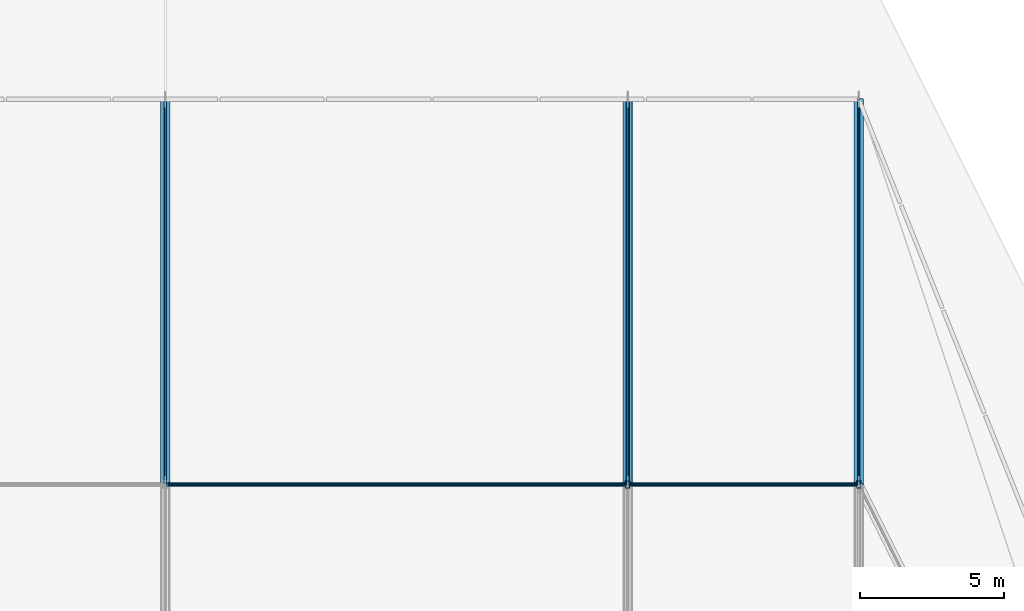
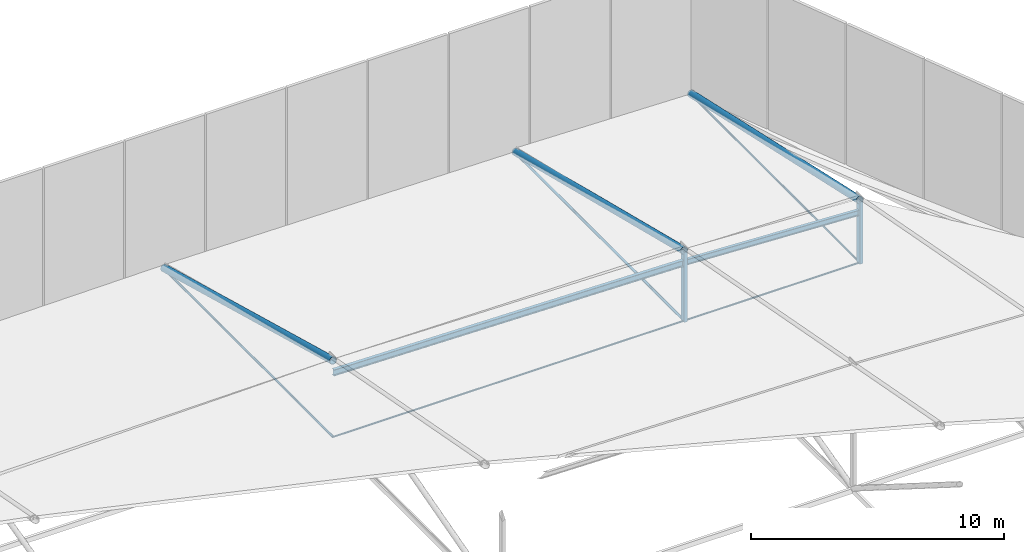
# One storey, part 19 of 30: 12 members.
"""IFC4 building model written with IfcOpenShell, lengths in metres."""

from ifc_helpers import new_model, si_unit, direction, frame, origin, origin_2d, place, context, subcontext, project, spatial, hollow_rectangle, circle, hollow_circle, i_section, extrude, material, material_profile, profile_set, type_object, element, save


model = new_model("IFC4")

# Units and contexts
model_context = context("Model", 3, precision=1e-05, world=origin(), true_north=direction((0.0, 1.0)))
body_context = subcontext(model_context, "Body", "Model", "MODEL_VIEW")
ifc_project = project(units=[si_unit("LENGTHUNIT", "METRE"), si_unit("AREAUNIT", "SQUARE_METRE"), si_unit("VOLUMEUNIT", "CUBIC_METRE"), si_unit("PLANEANGLEUNIT", "RADIAN"), si_unit("MASSUNIT", "GRAM", prefix="KILO")], contexts=[model_context])

# Site, building, storey
site_placement = place(None, origin())
site = spatial("IfcSite", under=ifc_project, at=site_placement, CompositionType="ELEMENT")
building_placement = place(site_placement, origin())
building = spatial("IfcBuilding", under=site, at=building_placement, Name="Tazarka Park Arena", CompositionType="ELEMENT")
storey_placement = place(building_placement, frame((0.0, 0.0, 29.39990234375)))
storey = spatial("IfcBuildingStorey", under=building, at=storey_placement, Name="Roof", CompositionType="ELEMENT", Elevation=29.39990234375)

# Members
ifc_material_1 = material(Name="Locked-coil steel cable S1570", Category="steel")
ifc_material_profile_1 = material_profile(ifc_material_1, circle(Radius=0.0400390625, at=origin_2d()), Name="Locked-coil steel cable S1570")
ifc_profile_set_1 = profile_set([ifc_material_profile_1], Name="Locked-coil steel cable S1570")
member_type_1 = type_object("IfcMemberType", Name="MEM-CBL-01", PredefinedType="USERDEFINED", material=ifc_profile_set_1)
member_1_placement = place(storey_placement, frame((88.0, 90.666748046875, -0.0498046875), z_axis=(1.0, 0.0, 0.0), x_axis=(0.0, 1.0, 0.0)))
element("IfcMember", 1, at=member_1_placement, inside=storey, type_object=member_type_1, Name="CABLE TRANSVERSE 5-5", ObjectType="CABLE", PredefinedType="USERDEFINED", context=body_context, shape_type="SweptSolid", body=[
    extrude(circle(Radius=0.0400390625, at=origin_2d()), origin(), (0.0, 0.0, 1.0), 16.0),
])
member_2_placement = place(storey_placement, frame((104.0, 90.666748046875, -0.0498046875), z_axis=(1.0, 0.0, 0.0), x_axis=(0.0, 1.0, 0.0)))
element("IfcMember", 2, at=member_2_placement, inside=storey, type_object=member_type_1, Name="CABLE TRANSVERSE 6-5", ObjectType="CABLE", PredefinedType="USERDEFINED", context=body_context, shape_type="SweptSolid", body=[
    extrude(circle(Radius=0.0400390625, at=origin_2d()), origin(), (0.0, 0.0, 1.0), 8.0),
])
ifc_material_2 = material(Name="Locked-coil steel cable S1570", Category="steel")
ifc_material_profile_2 = material_profile(ifc_material_2, circle(Radius=0.050048828125, at=origin_2d()), Name="Locked-coil steel cable S1570")
ifc_profile_set_2 = profile_set([ifc_material_profile_2], Name="Locked-coil steel cable S1570")
member_type_2 = type_object("IfcMemberType", Name="MEM-CBL-02", PredefinedType="USERDEFINED", material=ifc_profile_set_2)
member_3_placement = place(storey_placement, frame((88.0, 90.666748046875, -0.0498046875), z_axis=(0.0, 1.0, 0.0), x_axis=(-1.0, 0.0, 0.0)))
element("IfcMember", 3, at=member_3_placement, inside=storey, type_object=member_type_2, Name="CABLE CBL-02-5-6", ObjectType="CABLE", PredefinedType="USERDEFINED", context=body_context, shape_type="SweptSolid", body=[
    extrude(circle(Radius=0.050048828125, at=origin_2d()), origin(), (0.0, 0.0, 1.0), 13.333251953125),
])
ifc_material_3 = material(Name="Locked-coil steel cable S1570", Category="steel")
ifc_material_profile_3 = material_profile(ifc_material_3, circle(Radius=0.06005859375, at=origin_2d()), Name="Locked-coil steel cable S1570")
ifc_profile_set_3 = profile_set([ifc_material_profile_3], Name="Locked-coil steel cable S1570")
member_type_3 = type_object("IfcMemberType", Name="MEM-CBL-03", PredefinedType="USERDEFINED", material=ifc_profile_set_3)
member_4_placement = place(storey_placement, frame((104.0, 90.666748046875, -0.0498046875), z_axis=(0.0, 1.0, 0.0), x_axis=(-1.0, 0.0, 0.0)))
element("IfcMember", 4, at=member_4_placement, inside=storey, type_object=member_type_3, Name="CABLE CBL-03-6-6", ObjectType="CABLE", PredefinedType="USERDEFINED", context=body_context, shape_type="SweptSolid", body=[
    extrude(circle(Radius=0.06005859375, at=origin_2d()), origin(), (0.0, 0.0, 1.0), 13.333251953125),
])
ifc_material_4 = material(Name="Locked-coil steel cable S1570", Category="steel")
ifc_material_profile_4 = material_profile(ifc_material_4, circle(Radius=0.044921875, at=origin_2d()), Name="Locked-coil steel cable S1570")
ifc_profile_set_4 = profile_set([ifc_material_profile_4], Name="Locked-coil steel cable S1570")
member_type_4 = type_object("IfcMemberType", Name="MEM-CBL-04", PredefinedType="USERDEFINED", material=ifc_profile_set_4)
member_5_placement = place(storey_placement, frame((112.0, 90.666748046875, -0.0498046875), z_axis=(0.0, 1.0, 0.0), x_axis=(-1.0, 0.0, 0.0)))
element("IfcMember", 5, at=member_5_placement, inside=storey, type_object=member_type_4, Name="CABLE CBL-04-7-6", ObjectType="CABLE", PredefinedType="USERDEFINED", context=body_context, shape_type="SweptSolid", body=[
    extrude(circle(Radius=0.044921875, at=origin_2d()), origin(), (0.0, 0.0, 1.0), 13.333251953125),
])
ifc_material_5 = material(Name="Steel S460", Category="steel")
ifc_material_profile_5 = material_profile(ifc_material_5, hollow_circle(Radius=0.161865234375, WallThickness=0.01611328125, at=origin_2d()), Name="Steel S460")
ifc_profile_set_5 = profile_set([ifc_material_profile_5], Name="Steel S460")
member_type_5 = type_object("IfcMemberType", Name="MEM-CH-03", PredefinedType="CHORD", material=ifc_profile_set_5)
member_6_placement = place(storey_placement, frame((88.0, 90.666748046875, 3.62158203125), z_axis=(0.0, 0.965034481804, -0.262122965284), x_axis=(-1.0, 0.0, 0.0)))
element("IfcMember", 6, at=member_6_placement, inside=storey, type_object=member_type_5, Name="CABLE ARCH CHORD 5-6", PredefinedType="CHORD", context=body_context, shape_type="SweptSolid", body=[
    extrude(hollow_circle(Radius=0.161865234375, WallThickness=0.01611328125, at=origin_2d()), origin(), (0.0, 0.0, 1.0), 13.81640625),
])
member_7_placement = place(storey_placement, frame((104.0, 90.666748046875, 3.3232421875), z_axis=(0.0, 0.970314700319, -0.241845782153), x_axis=(-1.0, 0.0, 0.0)))
element("IfcMember", 7, at=member_7_placement, inside=storey, type_object=member_type_5, Name="CABLE ARCH CHORD 6-6", PredefinedType="CHORD", context=body_context, shape_type="SweptSolid", body=[
    extrude(hollow_circle(Radius=0.161865234375, WallThickness=0.01611328125, at=origin_2d()), origin(), (0.0, 0.0, 1.0), 13.7412109375),
])
member_8_placement = place(storey_placement, frame((112.0, 90.666748046875, 2.950439453125), z_axis=(0.0, 0.976380595704, -0.216057706024), x_axis=(-1.0, 0.0, 0.0)))
element("IfcMember", 8, at=member_8_placement, inside=storey, type_object=member_type_5, Name="CABLE ARCH CHORD 7-6", PredefinedType="CHORD", context=body_context, shape_type="SweptSolid", body=[
    extrude(hollow_circle(Radius=0.161865234375, WallThickness=0.01611328125, at=origin_2d()), origin(), (0.0, 0.0, 1.0), 13.65576171875),
])
ifc_material_6 = material(Name="Steel S355", Category="steel")
ifc_material_profile_6 = material_profile(ifc_material_6, i_section(OverallWidth=0.14990234375, OverallDepth=0.300048828125, WebThickness=0.007080078125, FlangeThickness=0.0107421875, FilletRadius=0.014892578125, at=origin_2d()), Name="Steel S355")
ifc_profile_set_6 = profile_set([ifc_material_profile_6], Name="Steel S355")
member_type_6 = type_object("IfcMemberType", Name="MEM-PR-02", PredefinedType="PURLIN", material=ifc_profile_set_6)
member_9_placement = place(storey_placement, frame((88.0, 90.666748046875, 3.0615234375), z_axis=(0.999826204181, 0.0, -0.018642999596), x_axis=(0.0, 1.0, 0.0)))
element("IfcMember", 9, at=member_9_placement, inside=storey, type_object=member_type_6, Name="RPM-04-05", PredefinedType="PURLIN", context=body_context, shape_type="SweptSolid", body=[
    extrude(i_section(OverallWidth=0.14990234375, OverallDepth=0.300048828125, WebThickness=0.007080078125, FlangeThickness=0.0107421875, FilletRadius=0.014892578125, at=origin_2d()), origin(), (0.0, 0.0, 1.0), 16.002685546875),
])
ifc_material_7 = material(Name="Steel S355", Category="steel")
ifc_material_profile_7 = material_profile(ifc_material_7, i_section(OverallWidth=0.135009765625, OverallDepth=0.27001953125, WebThickness=0.006591796875, FlangeThickness=0.01025390625, FilletRadius=0.014892578125, at=origin_2d()), Name="Steel S355")
ifc_profile_set_7 = profile_set([ifc_material_profile_7], Name="Steel S355")
member_type_7 = type_object("IfcMemberType", Name="MEM-PR-03", PredefinedType="PURLIN", material=ifc_profile_set_7)
member_10_placement = place(storey_placement, frame((104.0, 90.666748046875, 2.76318359375), z_axis=(0.998915969307, 0.0, -0.046549825596), x_axis=(0.0, 1.0, 0.0)))
element("IfcMember", 10, at=member_10_placement, inside=storey, type_object=member_type_7, Name="RPM-05-05", PredefinedType="PURLIN", context=body_context, shape_type="SweptSolid", body=[
    extrude(i_section(OverallWidth=0.135009765625, OverallDepth=0.27001953125, WebThickness=0.006591796875, FlangeThickness=0.01025390625, FilletRadius=0.014892578125, at=origin_2d()), origin(), (0.0, 0.0, 1.0), 8.0087890625),
])
ifc_material_8 = material(Name="Steel S355", Category="steel")
ifc_material_profile_8 = material_profile(ifc_material_8, hollow_rectangle(XDim=0.14990234375, YDim=0.25, WallThickness=0.010009765625, at=origin_2d()), Name="Steel S355")
ifc_profile_set_8 = profile_set([ifc_material_profile_8], Name="Steel S355")
member_type_8 = type_object("IfcMemberType", Name="MEM-PT-02", PredefinedType="POST", material=ifc_profile_set_8)
member_11_placement = place(storey_placement, frame((104.0, 90.666748046875, -0.0498046875), z_axis=(0.0, 0.0, 1.0), x_axis=(1.0, 0.0, 0.0)))
element("IfcMember", 11, at=member_11_placement, inside=storey, type_object=member_type_8, Name="CBH-05-5", PredefinedType="POST", context=body_context, shape_type="SweptSolid", body=[
    extrude(hollow_rectangle(XDim=0.14990234375, YDim=0.25, WallThickness=0.010009765625, at=origin_2d()), origin(), (0.0, 0.0, 1.0), 3.373046875),
])
member_12_placement = place(storey_placement, frame((112.0, 90.666748046875, -0.0498046875), z_axis=(0.0, 0.0, 1.0), x_axis=(1.0, 0.0, 0.0)))
element("IfcMember", 12, at=member_12_placement, inside=storey, type_object=member_type_8, Name="CBH-06-5", PredefinedType="POST", context=body_context, shape_type="SweptSolid", body=[
    extrude(hollow_rectangle(XDim=0.14990234375, YDim=0.25, WallThickness=0.010009765625, at=origin_2d()), origin(), (0.0, 0.0, 1.0), 3.000244140625),
])

save(model, "model.ifc")
